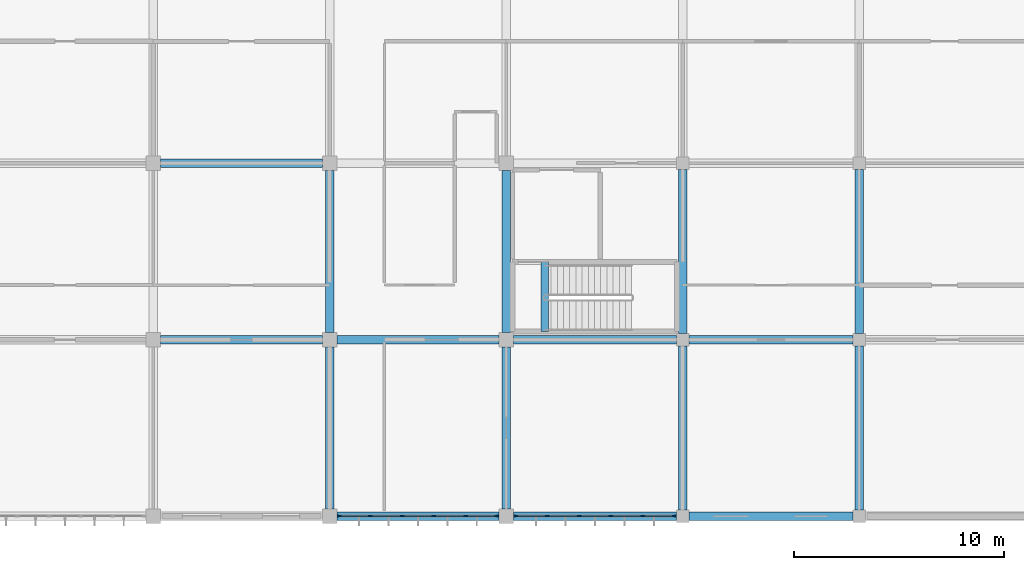
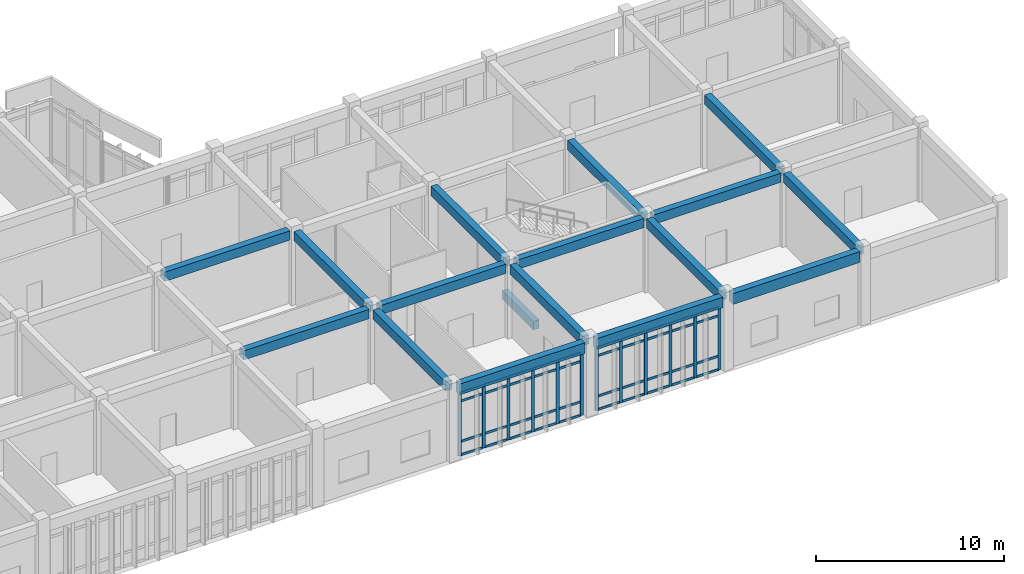
# One storey, part 55 of 134: 52 members, 17 beams, 2 elements without a shape of their own.
"""IFC4 building model written with IfcOpenShell, lengths in metres."""

from ifc_helpers import new_model, si_unit, direction, frame, origin, origin_2d, place, context, subcontext, project, spatial, rectangle, extrude, material, layer, layer_set, material_profile, profile_set, type_object, element, aggregate, save


model = new_model("IFC4")

# Units and contexts
model_context = context("Model", 3, precision=1e-05, world=origin(), true_north=direction((0.0, 1.0)))
body_context = subcontext(model_context, "Body", "Model", "MODEL_VIEW")
ifc_project = project(units=[si_unit("LENGTHUNIT", "METRE"), si_unit("AREAUNIT", "SQUARE_METRE"), si_unit("VOLUMEUNIT", "CUBIC_METRE"), si_unit("PLANEANGLEUNIT", "RADIAN"), si_unit("MASSUNIT", "GRAM", prefix="KILO")], contexts=[model_context])

# Site, building, storey
site_placement = place(None, origin())
site = spatial("IfcSite", under=ifc_project, at=site_placement, CompositionType="ELEMENT")
building_placement = place(site_placement, origin())
building = spatial("IfcBuilding", under=site, at=building_placement, Name="Bramfleet General Hospital", CompositionType="ELEMENT")
storey_placement = place(building_placement, frame((0.0, 0.0, 9.300048828125)))
storey = spatial("IfcBuildingStorey", under=building, at=storey_placement, Name="L02", CompositionType="ELEMENT", Elevation=9.300048828125)

# Beams
ifc_material_1 = material(Name="Concrete C35/45", Category="concrete")
ifc_material_profile_1 = material_profile(ifc_material_1, rectangle(XDim=0.35009765625, YDim=0.550048828125, at=origin_2d()), Name="RC BM 550x350")
ifc_profile_set_1 = profile_set([ifc_material_profile_1], Name="Concrete C35/45")
beam_type_1 = type_object("IfcBeamType", Name="BM-RC550", PredefinedType="BEAM", material=ifc_profile_set_1)
beam_1_placement = place(storey_placement, frame((144.639892578125, 8.780029296875, -0.275146484375), z_axis=(0.0, 1.0, 0.0), x_axis=(-1.0, 0.0, 0.0)))
element("IfcBeam", 1, at=beam_1_placement, inside=storey, type_object=beam_type_1, Name="L02 C10 Stairwell Trimmer Beam", PredefinedType="BEAM", context=body_context, shape_type="SweptSolid", body=[
    extrude(rectangle(XDim=0.35009765625, YDim=0.550048828125, at=origin_2d()), origin(), (0.0, 0.0, 1.0), 3.320068359375),
])
ifc_material_profile_2 = material_profile(ifc_material_1, rectangle(XDim=0.39990234375, YDim=0.60009765625, at=origin_2d()), Name="RC BM 600x400")
ifc_profile_set_2 = profile_set([ifc_material_profile_2], Name="Concrete C35/45")
beam_type_2 = type_object("IfcBeamType", Name="BM-RC600", PredefinedType="BEAM", material=ifc_profile_set_2)
for number, where, z_axis, x_axis, name in (
    (2, (126.35009765625, 8.39990234375, 4.47998046875), (1.0, 0.0, 0.0), (0.0, 1.0, 0.0), "L02 Grid Beam X 15-01"),
    (3, (126.35009765625, 16.800048828125, 4.47998046875), (1.0, 0.0, 0.0), (0.0, 1.0, 0.0), "L02 Grid Beam X 15-02"),
    (4, (134.75, 8.39990234375, 4.47998046875), (1.0, 0.0, 0.0), (0.0, 1.0, 0.0), "L02 Grid Beam X 16-01"),
):
    element("IfcBeam", number, at=place(storey_placement, frame(where, z_axis=z_axis, x_axis=x_axis)), inside=storey, type_object=beam_type_2, Name=name, PredefinedType="BEAM", context=body_context, shape_type="SweptSolid", body=[
        extrude(rectangle(XDim=0.39990234375, YDim=0.60009765625, at=origin_2d()), origin(), (0.0, 0.0, 1.0), 7.699951171875),
    ])
beam_2_placement = place(storey_placement, frame((143.14990234375, 8.39990234375, 4.47998046875), z_axis=(1.0, 0.0, 0.0), x_axis=(0.0, 1.0, 0.0)))
element("IfcBeam", 5, at=beam_2_placement, inside=storey, type_object=beam_type_2, Name="L02 Grid Beam X 17-01", PredefinedType="BEAM", context=body_context, shape_type="SweptSolid", body=[
    extrude(rectangle(XDim=0.39990234375, YDim=0.60009765625, at=origin_2d()), origin(), (0.0, 0.0, 1.0), 7.75),
])
beam_3_placement = place(storey_placement, frame((151.5, 8.39990234375, 4.47998046875), z_axis=(1.0, 0.0, 0.0), x_axis=(0.0, 1.0, 0.0)))
element("IfcBeam", 6, at=beam_3_placement, inside=storey, type_object=beam_type_2, Name="L02 Grid Beam X 18-01", PredefinedType="BEAM", context=body_context, shape_type="SweptSolid", body=[
    extrude(rectangle(XDim=0.39990234375, YDim=0.60009765625, at=origin_2d()), origin(), (0.0, 0.0, 1.0), 7.800048828125),
])
for number, where, z_axis, x_axis, name in (
    (7, (134.39990234375, 0.35009765625, 4.47998046875), (0.0, 1.0, 0.0), (-1.0, 0.0, 0.0), "L02 Grid Beam Y 16-00"),
    (8, (134.39990234375, 8.75, 4.47998046875), (0.0, 1.0, 0.0), (-1.0, 0.0, 0.0), "L02 Grid Beam Y 16-01"),
    (9, (142.800048828125, 0.35009765625, 4.47998046875), (0.0, 1.0, 0.0), (-1.0, 0.0, 0.0), "L02 Grid Beam Y 17-00"),
    (10, (142.800048828125, 8.75, 4.47998046875), (0.0, 1.0, 0.0), (-1.0, 0.0, 0.0), "L02 Grid Beam Y 17-01"),
):
    element("IfcBeam", number, at=place(storey_placement, frame(where, z_axis=z_axis, x_axis=x_axis)), inside=storey, type_object=beam_type_2, Name=name, PredefinedType="BEAM", context=body_context, shape_type="SweptSolid", body=[
        extrude(rectangle(XDim=0.39990234375, YDim=0.60009765625, at=origin_2d()), origin(), (0.0, 0.0, 1.0), 7.699951171875),
    ])
for number, where, z_axis, x_axis, name in (
    (11, (151.199951171875, 0.300048828125, 4.47998046875), (0.0, 1.0, 0.0), (-1.0, 0.0, 0.0), "L02 Grid Beam Y 18-00"),
    (12, (151.199951171875, 8.699951171875, 4.47998046875), (0.0, 1.0, 0.0), (-1.0, 0.0, 0.0), "L02 Grid Beam Y 18-01"),
    (13, (159.60009765625, 0.300048828125, 4.47998046875), (0.0, 1.0, 0.0), (-1.0, 0.0, 0.0), "L02 Grid Beam Y 19-00"),
    (14, (159.60009765625, 8.699951171875, 4.47998046875), (0.0, 1.0, 0.0), (-1.0, 0.0, 0.0), "L02 Grid Beam Y 19-01"),
):
    element("IfcBeam", number, at=place(storey_placement, frame(where, z_axis=z_axis, x_axis=x_axis)), inside=storey, type_object=beam_type_2, Name=name, PredefinedType="BEAM", context=body_context, shape_type="SweptSolid", body=[
        extrude(rectangle(XDim=0.39990234375, YDim=0.60009765625, at=origin_2d()), origin(), (0.0, 0.0, 1.0), 7.800048828125),
    ])
ifc_material_profile_3 = material_profile(ifc_material_1, rectangle(XDim=0.39990234375, YDim=0.699951171875, at=origin_2d()), Name="RC SP 700x400")
ifc_profile_set_3 = profile_set([ifc_material_profile_3], Name="Concrete C35/45")
beam_type_3 = type_object("IfcBeamType", Name="BM-SP700", PredefinedType="SPANDREL", material=ifc_profile_set_3)
beam_4_placement = place(storey_placement, frame((134.75, 0.0, 4.429931640625), z_axis=(1.0, 0.0, 0.0), x_axis=(0.0, 1.0, 0.0)))
element("IfcBeam", 15, at=beam_4_placement, inside=storey, type_object=beam_type_3, Name="L02 Grid Beam X 16-00", PredefinedType="SPANDREL", context=body_context, shape_type="SweptSolid", body=[
    extrude(rectangle(XDim=0.39990234375, YDim=0.699951171875, at=origin_2d()), origin(), (0.0, 0.0, 1.0), 7.699951171875),
])
beam_5_placement = place(storey_placement, frame((143.14990234375, 0.0, 4.429931640625), z_axis=(1.0, 0.0, 0.0), x_axis=(0.0, 1.0, 0.0)))
element("IfcBeam", 16, at=beam_5_placement, inside=storey, type_object=beam_type_3, Name="L02 Grid Beam X 17-00", PredefinedType="SPANDREL", context=body_context, shape_type="SweptSolid", body=[
    extrude(rectangle(XDim=0.39990234375, YDim=0.699951171875, at=origin_2d()), origin(), (0.0, 0.0, 1.0), 7.75),
])
beam_6_placement = place(storey_placement, frame((151.5, 0.0, 4.429931640625), z_axis=(1.0, 0.0, 0.0), x_axis=(0.0, 1.0, 0.0)))
element("IfcBeam", 17, at=beam_6_placement, inside=storey, type_object=beam_type_3, Name="L02 Grid Beam X 18-00", PredefinedType="SPANDREL", context=body_context, shape_type="SweptSolid", body=[
    extrude(rectangle(XDim=0.39990234375, YDim=0.699951171875, at=origin_2d()), origin(), (0.0, 0.0, 1.0), 7.800048828125),
])

# Curtain wall, members
ifc_material_2 = material(Name="Anodised aluminium and low-E triple glazing", Category="aluminium")
ifc_layer_1 = layer(ifc_material_2, 0.179931640625, Name="CWT-CW-15")
ifc_layer_set_1 = layer_set([ifc_layer_1], Name="Anodised aluminium and low-E triple glazing")
curtain_wall_type_1 = type_object("IfcCurtainWallType", Name="CWT-CW-15", PredefinedType="USERDEFINED", material=ifc_layer_set_1)
curtain_wall_1_placement = place(storey_placement, origin())
curtain_wall_1 = element("IfcCurtainWall", 18, at=curtain_wall_1_placement, inside=storey, type_object=curtain_wall_type_1, Name="L02 Curtain Wall 123", ObjectType="Stick curtain wall", PredefinedType="USERDEFINED")
ifc_material_3 = material(Name="Structural timber GL28h", Category="wood")
ifc_material_profile_4 = material_profile(ifc_material_3, rectangle(XDim=0.070068359375, YDim=0.18994140625, at=origin_2d()), Name="LARCH 190x70")
ifc_profile_set_4 = profile_set([ifc_material_profile_4], Name="Structural timber GL28h")
member_type_1 = type_object("IfcMemberType", Name="CWM-LARCH450", PredefinedType="MULLION", material=ifc_profile_set_4)
member_1_placement = place(storey_placement, frame((150.7900390625, 0.0, 0.0), z_axis=(0.0, 0.0, 1.0), x_axis=(0.0, -1.0, 0.0)))
member_1 = element("IfcMember", 19, at=member_1_placement, type_object=member_type_1, Name="CW-15 mullion 1", PredefinedType="MULLION", context=body_context, shape_type="SweptSolid", body=[
    extrude(rectangle(XDim=0.070068359375, YDim=0.18994140625, at=origin_2d()), origin(), (0.0, 0.0, 1.0), 4.070068359375),
])
member_2_placement = place(storey_placement, frame((149.304931640625, 0.0, 0.0), z_axis=(0.0, 0.0, 1.0), x_axis=(0.0, -1.0, 0.0)))
member_2 = element("IfcMember", 20, at=member_2_placement, type_object=member_type_1, Name="CW-15 mullion 2", PredefinedType="MULLION", context=body_context, shape_type="SweptSolid", body=[
    extrude(rectangle(XDim=0.070068359375, YDim=0.18994140625, at=origin_2d()), origin(), (0.0, 0.0, 1.0), 4.070068359375),
])
member_3_placement = place(storey_placement, frame((147.784912109375, 0.0, 0.0), z_axis=(0.0, 0.0, 1.0), x_axis=(0.0, -1.0, 0.0)))
member_3 = element("IfcMember", 21, at=member_3_placement, type_object=member_type_1, Name="CW-15 mullion 3", PredefinedType="MULLION", context=body_context, shape_type="SweptSolid", body=[
    extrude(rectangle(XDim=0.070068359375, YDim=0.18994140625, at=origin_2d()), origin(), (0.0, 0.0, 1.0), 4.070068359375),
])
member_4_placement = place(storey_placement, frame((146.264892578125, 0.0, 0.0), z_axis=(0.0, 0.0, 1.0), x_axis=(0.0, -1.0, 0.0)))
member_4 = element("IfcMember", 22, at=member_4_placement, type_object=member_type_1, Name="CW-15 mullion 4", PredefinedType="MULLION", context=body_context, shape_type="SweptSolid", body=[
    extrude(rectangle(XDim=0.070068359375, YDim=0.18994140625, at=origin_2d()), origin(), (0.0, 0.0, 1.0), 4.070068359375),
])
member_5_placement = place(storey_placement, frame((144.7451171875, 0.0, 0.0), z_axis=(0.0, 0.0, 1.0), x_axis=(0.0, -1.0, 0.0)))
member_5 = element("IfcMember", 23, at=member_5_placement, type_object=member_type_1, Name="CW-15 mullion 5", PredefinedType="MULLION", context=body_context, shape_type="SweptSolid", body=[
    extrude(rectangle(XDim=0.070068359375, YDim=0.18994140625, at=origin_2d()), origin(), (0.0, 0.0, 1.0), 4.070068359375),
])
member_6_placement = place(storey_placement, frame((143.260009765625, 0.0, 0.0), z_axis=(0.0, 0.0, 1.0), x_axis=(0.0, -1.0, 0.0)))
member_6 = element("IfcMember", 24, at=member_6_placement, type_object=member_type_1, Name="CW-15 mullion 6", PredefinedType="MULLION", context=body_context, shape_type="SweptSolid", body=[
    extrude(rectangle(XDim=0.070068359375, YDim=0.18994140625, at=origin_2d()), origin(), (0.0, 0.0, 1.0), 4.070068359375),
])

ifc_layer_2 = layer(ifc_material_2, 0.179931640625, Name="CWT-CW-16")
ifc_layer_set_2 = layer_set([ifc_layer_2], Name="Anodised aluminium and low-E triple glazing")
curtain_wall_type_2 = type_object("IfcCurtainWallType", Name="CWT-CW-16", PredefinedType="USERDEFINED", material=ifc_layer_set_2)
curtain_wall_2_placement = place(storey_placement, origin())
curtain_wall_2 = element("IfcCurtainWall", 25, at=curtain_wall_2_placement, inside=storey, type_object=curtain_wall_type_2, Name="L02 Curtain Wall 124", ObjectType="Stick curtain wall", PredefinedType="USERDEFINED")
member_7_placement = place(storey_placement, frame((142.340087890625, 0.0, 0.0), z_axis=(0.0, 0.0, 1.0), x_axis=(0.0, -1.0, 0.0)))
member_7 = element("IfcMember", 26, at=member_7_placement, type_object=member_type_1, Name="CW-16 mullion 1", PredefinedType="MULLION", context=body_context, shape_type="SweptSolid", body=[
    extrude(rectangle(XDim=0.070068359375, YDim=0.18994140625, at=origin_2d()), origin(), (0.0, 0.0, 1.0), 4.070068359375),
])
member_8_placement = place(storey_placement, frame((140.864990234375, 0.0, 0.0), z_axis=(0.0, 0.0, 1.0), x_axis=(0.0, -1.0, 0.0)))
member_8 = element("IfcMember", 27, at=member_8_placement, type_object=member_type_1, Name="CW-16 mullion 2", PredefinedType="MULLION", context=body_context, shape_type="SweptSolid", body=[
    extrude(rectangle(XDim=0.070068359375, YDim=0.18994140625, at=origin_2d()), origin(), (0.0, 0.0, 1.0), 4.070068359375),
])
member_9_placement = place(storey_placement, frame((139.35498046875, 0.0, 0.0), z_axis=(0.0, 0.0, 1.0), x_axis=(0.0, -1.0, 0.0)))
member_9 = element("IfcMember", 28, at=member_9_placement, type_object=member_type_1, Name="CW-16 mullion 3", PredefinedType="MULLION", context=body_context, shape_type="SweptSolid", body=[
    extrude(rectangle(XDim=0.070068359375, YDim=0.18994140625, at=origin_2d()), origin(), (0.0, 0.0, 1.0), 4.070068359375),
])
member_10_placement = place(storey_placement, frame((137.844970703125, 0.0, 0.0), z_axis=(0.0, 0.0, 1.0), x_axis=(0.0, -1.0, 0.0)))
member_10 = element("IfcMember", 29, at=member_10_placement, type_object=member_type_1, Name="CW-16 mullion 4", PredefinedType="MULLION", context=body_context, shape_type="SweptSolid", body=[
    extrude(rectangle(XDim=0.070068359375, YDim=0.18994140625, at=origin_2d()), origin(), (0.0, 0.0, 1.0), 4.070068359375),
])
member_11_placement = place(storey_placement, frame((136.3349609375, 0.0, 0.0), z_axis=(0.0, 0.0, 1.0), x_axis=(0.0, -1.0, 0.0)))
member_11 = element("IfcMember", 30, at=member_11_placement, type_object=member_type_1, Name="CW-16 mullion 5", PredefinedType="MULLION", context=body_context, shape_type="SweptSolid", body=[
    extrude(rectangle(XDim=0.070068359375, YDim=0.18994140625, at=origin_2d()), origin(), (0.0, 0.0, 1.0), 4.070068359375),
])
member_12_placement = place(storey_placement, frame((134.860107421875, 0.0, 0.0), z_axis=(0.0, 0.0, 1.0), x_axis=(0.0, -1.0, 0.0)))
member_12 = element("IfcMember", 31, at=member_12_placement, type_object=member_type_1, Name="CW-16 mullion 6", PredefinedType="MULLION", context=body_context, shape_type="SweptSolid", body=[
    extrude(rectangle(XDim=0.070068359375, YDim=0.18994140625, at=origin_2d()), origin(), (0.0, 0.0, 1.0), 4.070068359375),
])

# Member
ifc_material_profile_5 = material_profile(ifc_material_3, rectangle(XDim=0.06494140625, YDim=0.14990234375, at=origin_2d()), Name="LARCH 150x65")
ifc_profile_set_5 = profile_set([ifc_material_profile_5], Name="Structural timber GL28h")
member_type_2 = type_object("IfcMemberType", Name="CWT-LARCH220", PredefinedType="USERDEFINED", material=ifc_profile_set_5)
member_13_placement = place(storey_placement, frame((150.7548828125, 0.0, 0.032470703125), z_axis=(-1.0, 0.0, 0.0), x_axis=(0.0, -1.0, 0.0)))
member_13 = element("IfcMember", 32, at=member_13_placement, type_object=member_type_2, Name="CW-15 transom 1.1", ObjectType="TRANSOM", PredefinedType="USERDEFINED", context=body_context, shape_type="SweptSolid", body=[
    extrude(rectangle(XDim=0.06494140625, YDim=0.14990234375, at=origin_2d()), origin(), (0.0, 0.0, 1.0), 1.414794921875),
])

member_14_placement = place(storey_placement, frame((150.7548828125, 0.0, 0.89990234375), z_axis=(-1.0, 0.0, 0.0), x_axis=(0.0, -1.0, 0.0)))
member_14 = element("IfcMember", 33, at=member_14_placement, type_object=member_type_2, Name="CW-15 transom 1.2", ObjectType="TRANSOM", PredefinedType="USERDEFINED", context=body_context, shape_type="SweptSolid", body=[
    extrude(rectangle(XDim=0.06494140625, YDim=0.14990234375, at=origin_2d()), origin(), (0.0, 0.0, 1.0), 1.414794921875),
])

member_15_placement = place(storey_placement, frame((150.7548828125, 0.0, 3.52001953125), z_axis=(-1.0, 0.0, 0.0), x_axis=(0.0, -1.0, 0.0)))
member_15 = element("IfcMember", 34, at=member_15_placement, type_object=member_type_2, Name="CW-15 transom 1.3", ObjectType="TRANSOM", PredefinedType="USERDEFINED", context=body_context, shape_type="SweptSolid", body=[
    extrude(rectangle(XDim=0.06494140625, YDim=0.14990234375, at=origin_2d()), origin(), (0.0, 0.0, 1.0), 1.414794921875),
])

member_16_placement = place(storey_placement, frame((150.7548828125, 0.0, 4.037353515625), z_axis=(-1.0, 0.0, 0.0), x_axis=(0.0, -1.0, 0.0)))
member_16 = element("IfcMember", 35, at=member_16_placement, type_object=member_type_2, Name="CW-15 transom 1.4", ObjectType="TRANSOM", PredefinedType="USERDEFINED", context=body_context, shape_type="SweptSolid", body=[
    extrude(rectangle(XDim=0.06494140625, YDim=0.14990234375, at=origin_2d()), origin(), (0.0, 0.0, 1.0), 1.414794921875),
])

member_17_placement = place(storey_placement, frame((149.27001953125, 0.0, 0.032470703125), z_axis=(-1.0, 0.0, 0.0), x_axis=(0.0, -1.0, 0.0)))
member_17 = element("IfcMember", 36, at=member_17_placement, type_object=member_type_2, Name="CW-15 transom 2.1", ObjectType="TRANSOM", PredefinedType="USERDEFINED", context=body_context, shape_type="SweptSolid", body=[
    extrude(rectangle(XDim=0.06494140625, YDim=0.14990234375, at=origin_2d()), origin(), (0.0, 0.0, 1.0), 1.449951171875),
])

member_18_placement = place(storey_placement, frame((149.27001953125, 0.0, 0.89990234375), z_axis=(-1.0, 0.0, 0.0), x_axis=(0.0, -1.0, 0.0)))
member_18 = element("IfcMember", 37, at=member_18_placement, type_object=member_type_2, Name="CW-15 transom 2.2", ObjectType="TRANSOM", PredefinedType="USERDEFINED", context=body_context, shape_type="SweptSolid", body=[
    extrude(rectangle(XDim=0.06494140625, YDim=0.14990234375, at=origin_2d()), origin(), (0.0, 0.0, 1.0), 1.449951171875),
])

member_19_placement = place(storey_placement, frame((149.27001953125, 0.0, 3.52001953125), z_axis=(-1.0, 0.0, 0.0), x_axis=(0.0, -1.0, 0.0)))
member_19 = element("IfcMember", 38, at=member_19_placement, type_object=member_type_2, Name="CW-15 transom 2.3", ObjectType="TRANSOM", PredefinedType="USERDEFINED", context=body_context, shape_type="SweptSolid", body=[
    extrude(rectangle(XDim=0.06494140625, YDim=0.14990234375, at=origin_2d()), origin(), (0.0, 0.0, 1.0), 1.449951171875),
])

member_20_placement = place(storey_placement, frame((149.27001953125, 0.0, 4.037353515625), z_axis=(-1.0, 0.0, 0.0), x_axis=(0.0, -1.0, 0.0)))
member_20 = element("IfcMember", 39, at=member_20_placement, type_object=member_type_2, Name="CW-15 transom 2.4", ObjectType="TRANSOM", PredefinedType="USERDEFINED", context=body_context, shape_type="SweptSolid", body=[
    extrude(rectangle(XDim=0.06494140625, YDim=0.14990234375, at=origin_2d()), origin(), (0.0, 0.0, 1.0), 1.449951171875),
])

member_21_placement = place(storey_placement, frame((147.75, 0.0, 0.032470703125), z_axis=(-1.0, 0.0, 0.0), x_axis=(0.0, -1.0, 0.0)))
member_21 = element("IfcMember", 40, at=member_21_placement, type_object=member_type_2, Name="CW-15 transom 3.1", ObjectType="TRANSOM", PredefinedType="USERDEFINED", context=body_context, shape_type="SweptSolid", body=[
    extrude(rectangle(XDim=0.06494140625, YDim=0.14990234375, at=origin_2d()), origin(), (0.0, 0.0, 1.0), 1.449951171875),
])

member_22_placement = place(storey_placement, frame((147.75, 0.0, 0.89990234375), z_axis=(-1.0, 0.0, 0.0), x_axis=(0.0, -1.0, 0.0)))
member_22 = element("IfcMember", 41, at=member_22_placement, type_object=member_type_2, Name="CW-15 transom 3.2", ObjectType="TRANSOM", PredefinedType="USERDEFINED", context=body_context, shape_type="SweptSolid", body=[
    extrude(rectangle(XDim=0.06494140625, YDim=0.14990234375, at=origin_2d()), origin(), (0.0, 0.0, 1.0), 1.449951171875),
])

member_23_placement = place(storey_placement, frame((147.75, 0.0, 3.52001953125), z_axis=(-1.0, 0.0, 0.0), x_axis=(0.0, -1.0, 0.0)))
member_23 = element("IfcMember", 42, at=member_23_placement, type_object=member_type_2, Name="CW-15 transom 3.3", ObjectType="TRANSOM", PredefinedType="USERDEFINED", context=body_context, shape_type="SweptSolid", body=[
    extrude(rectangle(XDim=0.06494140625, YDim=0.14990234375, at=origin_2d()), origin(), (0.0, 0.0, 1.0), 1.449951171875),
])

member_24_placement = place(storey_placement, frame((147.75, 0.0, 4.037353515625), z_axis=(-1.0, 0.0, 0.0), x_axis=(0.0, -1.0, 0.0)))
member_24 = element("IfcMember", 43, at=member_24_placement, type_object=member_type_2, Name="CW-15 transom 3.4", ObjectType="TRANSOM", PredefinedType="USERDEFINED", context=body_context, shape_type="SweptSolid", body=[
    extrude(rectangle(XDim=0.06494140625, YDim=0.14990234375, at=origin_2d()), origin(), (0.0, 0.0, 1.0), 1.449951171875),
])

member_25_placement = place(storey_placement, frame((146.22998046875, 0.0, 0.032470703125), z_axis=(-1.0, 0.0, 0.0), x_axis=(0.0, -1.0, 0.0)))
member_25 = element("IfcMember", 44, at=member_25_placement, type_object=member_type_2, Name="CW-15 transom 4.1", ObjectType="TRANSOM", PredefinedType="USERDEFINED", context=body_context, shape_type="SweptSolid", body=[
    extrude(rectangle(XDim=0.06494140625, YDim=0.14990234375, at=origin_2d()), origin(), (0.0, 0.0, 1.0), 1.449951171875),
])

member_26_placement = place(storey_placement, frame((146.22998046875, 0.0, 0.89990234375), z_axis=(-1.0, 0.0, 0.0), x_axis=(0.0, -1.0, 0.0)))
member_26 = element("IfcMember", 45, at=member_26_placement, type_object=member_type_2, Name="CW-15 transom 4.2", ObjectType="TRANSOM", PredefinedType="USERDEFINED", context=body_context, shape_type="SweptSolid", body=[
    extrude(rectangle(XDim=0.06494140625, YDim=0.14990234375, at=origin_2d()), origin(), (0.0, 0.0, 1.0), 1.449951171875),
])

member_27_placement = place(storey_placement, frame((146.22998046875, 0.0, 3.52001953125), z_axis=(-1.0, 0.0, 0.0), x_axis=(0.0, -1.0, 0.0)))
member_27 = element("IfcMember", 46, at=member_27_placement, type_object=member_type_2, Name="CW-15 transom 4.3", ObjectType="TRANSOM", PredefinedType="USERDEFINED", context=body_context, shape_type="SweptSolid", body=[
    extrude(rectangle(XDim=0.06494140625, YDim=0.14990234375, at=origin_2d()), origin(), (0.0, 0.0, 1.0), 1.449951171875),
])

member_28_placement = place(storey_placement, frame((146.22998046875, 0.0, 4.037353515625), z_axis=(-1.0, 0.0, 0.0), x_axis=(0.0, -1.0, 0.0)))
member_28 = element("IfcMember", 47, at=member_28_placement, type_object=member_type_2, Name="CW-15 transom 4.4", ObjectType="TRANSOM", PredefinedType="USERDEFINED", context=body_context, shape_type="SweptSolid", body=[
    extrude(rectangle(XDim=0.06494140625, YDim=0.14990234375, at=origin_2d()), origin(), (0.0, 0.0, 1.0), 1.449951171875),
])

member_29_placement = place(storey_placement, frame((144.7099609375, 0.0, 0.032470703125), z_axis=(-1.0, 0.0, 0.0), x_axis=(0.0, -1.0, 0.0)))
member_29 = element("IfcMember", 48, at=member_29_placement, type_object=member_type_2, Name="CW-15 transom 5.1", ObjectType="TRANSOM", PredefinedType="USERDEFINED", context=body_context, shape_type="SweptSolid", body=[
    extrude(rectangle(XDim=0.06494140625, YDim=0.14990234375, at=origin_2d()), origin(), (0.0, 0.0, 1.0), 1.4150390625),
])

member_30_placement = place(storey_placement, frame((144.7099609375, 0.0, 0.89990234375), z_axis=(-1.0, 0.0, 0.0), x_axis=(0.0, -1.0, 0.0)))
member_30 = element("IfcMember", 49, at=member_30_placement, type_object=member_type_2, Name="CW-15 transom 5.2", ObjectType="TRANSOM", PredefinedType="USERDEFINED", context=body_context, shape_type="SweptSolid", body=[
    extrude(rectangle(XDim=0.06494140625, YDim=0.14990234375, at=origin_2d()), origin(), (0.0, 0.0, 1.0), 1.4150390625),
])

member_31_placement = place(storey_placement, frame((144.7099609375, 0.0, 3.52001953125), z_axis=(-1.0, 0.0, 0.0), x_axis=(0.0, -1.0, 0.0)))
member_31 = element("IfcMember", 50, at=member_31_placement, type_object=member_type_2, Name="CW-15 transom 5.3", ObjectType="TRANSOM", PredefinedType="USERDEFINED", context=body_context, shape_type="SweptSolid", body=[
    extrude(rectangle(XDim=0.06494140625, YDim=0.14990234375, at=origin_2d()), origin(), (0.0, 0.0, 1.0), 1.4150390625),
])

member_32_placement = place(storey_placement, frame((144.7099609375, 0.0, 4.037353515625), z_axis=(-1.0, 0.0, 0.0), x_axis=(0.0, -1.0, 0.0)))
member_32 = element("IfcMember", 51, at=member_32_placement, type_object=member_type_2, Name="CW-15 transom 5.4", ObjectType="TRANSOM", PredefinedType="USERDEFINED", context=body_context, shape_type="SweptSolid", body=[
    extrude(rectangle(XDim=0.06494140625, YDim=0.14990234375, at=origin_2d()), origin(), (0.0, 0.0, 1.0), 1.4150390625),
])

aggregate(curtain_wall_1, [member_1, member_2, member_3, member_4, member_5, member_6, member_13, member_14, member_15, member_16, member_17, member_18, member_19, member_20, member_21, member_22, member_23, member_24, member_25, member_26, member_27, member_28, member_29, member_30, member_31, member_32])

member_33_placement = place(storey_placement, frame((142.304931640625, 0.0, 0.032470703125), z_axis=(-1.0, 0.0, 0.0), x_axis=(0.0, -1.0, 0.0)))
member_33 = element("IfcMember", 52, at=member_33_placement, type_object=member_type_2, Name="CW-16 transom 1.1", ObjectType="TRANSOM", PredefinedType="USERDEFINED", context=body_context, shape_type="SweptSolid", body=[
    extrude(rectangle(XDim=0.06494140625, YDim=0.14990234375, at=origin_2d()), origin(), (0.0, 0.0, 1.0), 1.405029296875),
])

member_34_placement = place(storey_placement, frame((142.304931640625, 0.0, 0.89990234375), z_axis=(-1.0, 0.0, 0.0), x_axis=(0.0, -1.0, 0.0)))
member_34 = element("IfcMember", 53, at=member_34_placement, type_object=member_type_2, Name="CW-16 transom 1.2", ObjectType="TRANSOM", PredefinedType="USERDEFINED", context=body_context, shape_type="SweptSolid", body=[
    extrude(rectangle(XDim=0.06494140625, YDim=0.14990234375, at=origin_2d()), origin(), (0.0, 0.0, 1.0), 1.405029296875),
])

member_35_placement = place(storey_placement, frame((142.304931640625, 0.0, 3.52001953125), z_axis=(-1.0, 0.0, 0.0), x_axis=(0.0, -1.0, 0.0)))
member_35 = element("IfcMember", 54, at=member_35_placement, type_object=member_type_2, Name="CW-16 transom 1.3", ObjectType="TRANSOM", PredefinedType="USERDEFINED", context=body_context, shape_type="SweptSolid", body=[
    extrude(rectangle(XDim=0.06494140625, YDim=0.14990234375, at=origin_2d()), origin(), (0.0, 0.0, 1.0), 1.405029296875),
])

member_36_placement = place(storey_placement, frame((142.304931640625, 0.0, 4.037353515625), z_axis=(-1.0, 0.0, 0.0), x_axis=(0.0, -1.0, 0.0)))
member_36 = element("IfcMember", 55, at=member_36_placement, type_object=member_type_2, Name="CW-16 transom 1.4", ObjectType="TRANSOM", PredefinedType="USERDEFINED", context=body_context, shape_type="SweptSolid", body=[
    extrude(rectangle(XDim=0.06494140625, YDim=0.14990234375, at=origin_2d()), origin(), (0.0, 0.0, 1.0), 1.405029296875),
])

member_37_placement = place(storey_placement, frame((140.830078125, 0.0, 0.032470703125), z_axis=(-1.0, 0.0, 0.0), x_axis=(0.0, -1.0, 0.0)))
member_37 = element("IfcMember", 56, at=member_37_placement, type_object=member_type_2, Name="CW-16 transom 2.1", ObjectType="TRANSOM", PredefinedType="USERDEFINED", context=body_context, shape_type="SweptSolid", body=[
    extrude(rectangle(XDim=0.06494140625, YDim=0.14990234375, at=origin_2d()), origin(), (0.0, 0.0, 1.0), 1.440185546875),
])

member_38_placement = place(storey_placement, frame((140.830078125, 0.0, 0.89990234375), z_axis=(-1.0, 0.0, 0.0), x_axis=(0.0, -1.0, 0.0)))
member_38 = element("IfcMember", 57, at=member_38_placement, type_object=member_type_2, Name="CW-16 transom 2.2", ObjectType="TRANSOM", PredefinedType="USERDEFINED", context=body_context, shape_type="SweptSolid", body=[
    extrude(rectangle(XDim=0.06494140625, YDim=0.14990234375, at=origin_2d()), origin(), (0.0, 0.0, 1.0), 1.440185546875),
])

member_39_placement = place(storey_placement, frame((140.830078125, 0.0, 3.52001953125), z_axis=(-1.0, 0.0, 0.0), x_axis=(0.0, -1.0, 0.0)))
member_39 = element("IfcMember", 58, at=member_39_placement, type_object=member_type_2, Name="CW-16 transom 2.3", ObjectType="TRANSOM", PredefinedType="USERDEFINED", context=body_context, shape_type="SweptSolid", body=[
    extrude(rectangle(XDim=0.06494140625, YDim=0.14990234375, at=origin_2d()), origin(), (0.0, 0.0, 1.0), 1.440185546875),
])

member_40_placement = place(storey_placement, frame((140.830078125, 0.0, 4.037353515625), z_axis=(-1.0, 0.0, 0.0), x_axis=(0.0, -1.0, 0.0)))
member_40 = element("IfcMember", 59, at=member_40_placement, type_object=member_type_2, Name="CW-16 transom 2.4", ObjectType="TRANSOM", PredefinedType="USERDEFINED", context=body_context, shape_type="SweptSolid", body=[
    extrude(rectangle(XDim=0.06494140625, YDim=0.14990234375, at=origin_2d()), origin(), (0.0, 0.0, 1.0), 1.440185546875),
])

member_41_placement = place(storey_placement, frame((139.320068359375, 0.0, 0.032470703125), z_axis=(-1.0, 0.0, 0.0), x_axis=(0.0, -1.0, 0.0)))
member_41 = element("IfcMember", 60, at=member_41_placement, type_object=member_type_2, Name="CW-16 transom 3.1", ObjectType="TRANSOM", PredefinedType="USERDEFINED", context=body_context, shape_type="SweptSolid", body=[
    extrude(rectangle(XDim=0.06494140625, YDim=0.14990234375, at=origin_2d()), origin(), (0.0, 0.0, 1.0), 1.440185546875),
])

member_42_placement = place(storey_placement, frame((139.320068359375, 0.0, 0.89990234375), z_axis=(-1.0, 0.0, 0.0), x_axis=(0.0, -1.0, 0.0)))
member_42 = element("IfcMember", 61, at=member_42_placement, type_object=member_type_2, Name="CW-16 transom 3.2", ObjectType="TRANSOM", PredefinedType="USERDEFINED", context=body_context, shape_type="SweptSolid", body=[
    extrude(rectangle(XDim=0.06494140625, YDim=0.14990234375, at=origin_2d()), origin(), (0.0, 0.0, 1.0), 1.440185546875),
])

member_43_placement = place(storey_placement, frame((139.320068359375, 0.0, 3.52001953125), z_axis=(-1.0, 0.0, 0.0), x_axis=(0.0, -1.0, 0.0)))
member_43 = element("IfcMember", 62, at=member_43_placement, type_object=member_type_2, Name="CW-16 transom 3.3", ObjectType="TRANSOM", PredefinedType="USERDEFINED", context=body_context, shape_type="SweptSolid", body=[
    extrude(rectangle(XDim=0.06494140625, YDim=0.14990234375, at=origin_2d()), origin(), (0.0, 0.0, 1.0), 1.440185546875),
])

member_44_placement = place(storey_placement, frame((139.320068359375, 0.0, 4.037353515625), z_axis=(-1.0, 0.0, 0.0), x_axis=(0.0, -1.0, 0.0)))
member_44 = element("IfcMember", 63, at=member_44_placement, type_object=member_type_2, Name="CW-16 transom 3.4", ObjectType="TRANSOM", PredefinedType="USERDEFINED", context=body_context, shape_type="SweptSolid", body=[
    extrude(rectangle(XDim=0.06494140625, YDim=0.14990234375, at=origin_2d()), origin(), (0.0, 0.0, 1.0), 1.440185546875),
])

member_45_placement = place(storey_placement, frame((137.81005859375, 0.0, 0.032470703125), z_axis=(-1.0, 0.0, 0.0), x_axis=(0.0, -1.0, 0.0)))
member_45 = element("IfcMember", 64, at=member_45_placement, type_object=member_type_2, Name="CW-16 transom 4.1", ObjectType="TRANSOM", PredefinedType="USERDEFINED", context=body_context, shape_type="SweptSolid", body=[
    extrude(rectangle(XDim=0.06494140625, YDim=0.14990234375, at=origin_2d()), origin(), (0.0, 0.0, 1.0), 1.43994140625),
])

member_46_placement = place(storey_placement, frame((137.81005859375, 0.0, 0.89990234375), z_axis=(-1.0, 0.0, 0.0), x_axis=(0.0, -1.0, 0.0)))
member_46 = element("IfcMember", 65, at=member_46_placement, type_object=member_type_2, Name="CW-16 transom 4.2", ObjectType="TRANSOM", PredefinedType="USERDEFINED", context=body_context, shape_type="SweptSolid", body=[
    extrude(rectangle(XDim=0.06494140625, YDim=0.14990234375, at=origin_2d()), origin(), (0.0, 0.0, 1.0), 1.43994140625),
])

member_47_placement = place(storey_placement, frame((137.81005859375, 0.0, 3.52001953125), z_axis=(-1.0, 0.0, 0.0), x_axis=(0.0, -1.0, 0.0)))
member_47 = element("IfcMember", 66, at=member_47_placement, type_object=member_type_2, Name="CW-16 transom 4.3", ObjectType="TRANSOM", PredefinedType="USERDEFINED", context=body_context, shape_type="SweptSolid", body=[
    extrude(rectangle(XDim=0.06494140625, YDim=0.14990234375, at=origin_2d()), origin(), (0.0, 0.0, 1.0), 1.43994140625),
])

member_48_placement = place(storey_placement, frame((137.81005859375, 0.0, 4.037353515625), z_axis=(-1.0, 0.0, 0.0), x_axis=(0.0, -1.0, 0.0)))
member_48 = element("IfcMember", 67, at=member_48_placement, type_object=member_type_2, Name="CW-16 transom 4.4", ObjectType="TRANSOM", PredefinedType="USERDEFINED", context=body_context, shape_type="SweptSolid", body=[
    extrude(rectangle(XDim=0.06494140625, YDim=0.14990234375, at=origin_2d()), origin(), (0.0, 0.0, 1.0), 1.43994140625),
])

member_49_placement = place(storey_placement, frame((136.300048828125, 0.0, 0.032470703125), z_axis=(-1.0, 0.0, 0.0), x_axis=(0.0, -1.0, 0.0)))
member_49 = element("IfcMember", 68, at=member_49_placement, type_object=member_type_2, Name="CW-16 transom 5.1", ObjectType="TRANSOM", PredefinedType="USERDEFINED", context=body_context, shape_type="SweptSolid", body=[
    extrude(rectangle(XDim=0.06494140625, YDim=0.14990234375, at=origin_2d()), origin(), (0.0, 0.0, 1.0), 1.405029296875),
])

member_50_placement = place(storey_placement, frame((136.300048828125, 0.0, 0.89990234375), z_axis=(-1.0, 0.0, 0.0), x_axis=(0.0, -1.0, 0.0)))
member_50 = element("IfcMember", 69, at=member_50_placement, type_object=member_type_2, Name="CW-16 transom 5.2", ObjectType="TRANSOM", PredefinedType="USERDEFINED", context=body_context, shape_type="SweptSolid", body=[
    extrude(rectangle(XDim=0.06494140625, YDim=0.14990234375, at=origin_2d()), origin(), (0.0, 0.0, 1.0), 1.405029296875),
])

member_51_placement = place(storey_placement, frame((136.300048828125, 0.0, 3.52001953125), z_axis=(-1.0, 0.0, 0.0), x_axis=(0.0, -1.0, 0.0)))
member_51 = element("IfcMember", 70, at=member_51_placement, type_object=member_type_2, Name="CW-16 transom 5.3", ObjectType="TRANSOM", PredefinedType="USERDEFINED", context=body_context, shape_type="SweptSolid", body=[
    extrude(rectangle(XDim=0.06494140625, YDim=0.14990234375, at=origin_2d()), origin(), (0.0, 0.0, 1.0), 1.405029296875),
])

member_52_placement = place(storey_placement, frame((136.300048828125, 0.0, 4.037353515625), z_axis=(-1.0, 0.0, 0.0), x_axis=(0.0, -1.0, 0.0)))
member_52 = element("IfcMember", 71, at=member_52_placement, type_object=member_type_2, Name="CW-16 transom 5.4", ObjectType="TRANSOM", PredefinedType="USERDEFINED", context=body_context, shape_type="SweptSolid", body=[
    extrude(rectangle(XDim=0.06494140625, YDim=0.14990234375, at=origin_2d()), origin(), (0.0, 0.0, 1.0), 1.405029296875),
])

aggregate(curtain_wall_2, [member_7, member_8, member_9, member_10, member_11, member_12, member_33, member_34, member_35, member_36, member_37, member_38, member_39, member_40, member_41, member_42, member_43, member_44, member_45, member_46, member_47, member_48, member_49, member_50, member_51, member_52])

save(model, "model.ifc")
